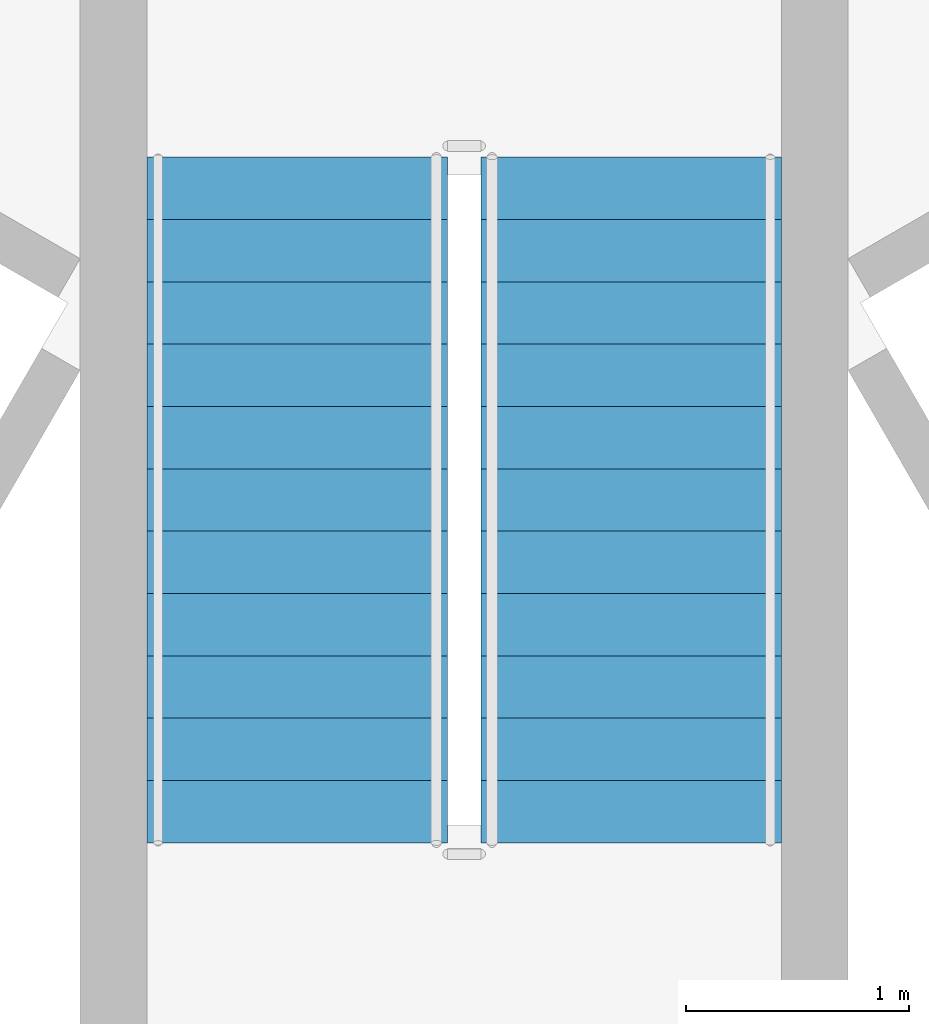
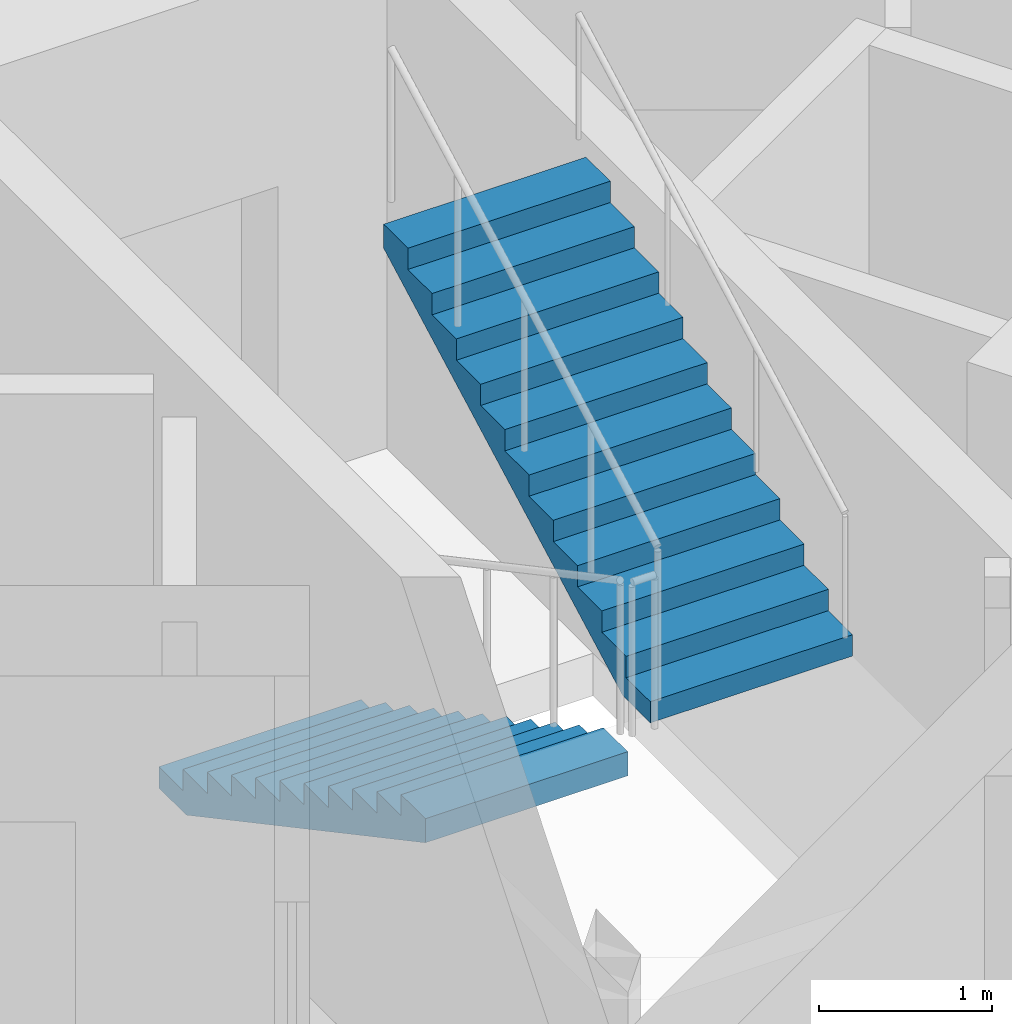
# One storey, part 11 of 18: 2 stair flights, 1 element without a shape of its own.
"""IFC4 building model written with IfcOpenShell, lengths in metres."""

from ifc_helpers import new_model, si_unit, direction, frame, origin, place, context, subcontext, project, spatial, polyline, outline, extrude, material, type_object, element, aggregate, save


model = new_model("IFC4")

# Units and contexts
model_context = context("Model", 3, precision=1e-05, world=origin(), true_north=direction((0.0, 1.0)))
body_context = subcontext(model_context, "Body", "Model", "MODEL_VIEW")
ifc_project = project(units=[si_unit("LENGTHUNIT", "METRE"), si_unit("AREAUNIT", "SQUARE_METRE"), si_unit("VOLUMEUNIT", "CUBIC_METRE"), si_unit("PLANEANGLEUNIT", "RADIAN"), si_unit("MASSUNIT", "GRAM", prefix="KILO")], contexts=[model_context])

# Site, building, storey
site_placement = place(None, origin())
site = spatial("IfcSite", under=ifc_project, at=site_placement, CompositionType="ELEMENT")
building_placement = place(site_placement, origin())
building = spatial("IfcBuilding", under=site, at=building_placement, Name="Trine Commons Tower", CompositionType="ELEMENT")
storey_placement = place(building_placement, frame((0.0, 0.0, 171.89990234375)))
storey = spatial("IfcBuildingStorey", under=building, at=storey_placement, Name="L44", CompositionType="ELEMENT", Elevation=171.89990234375)

# Stair, stair flights
ifc_material = material(Name="Concrete C50/60", Category="concrete")
stair_type = type_object("IfcStairType", Name="Exit stair, dog-leg, 24 risers of 150 mm", PredefinedType="HALF_TURN_STAIR", material=ifc_material)
stair_placement = place(storey_placement, origin())
stair = element("IfcStair", 1, at=stair_placement, inside=storey, type_object=stair_type, Name="L44 Exit stair ST1B", PredefinedType="HALF_TURN_STAIR")
stair_flight_type = type_object("IfcStairFlightType", Name="Stair flight, 1350 wide, 12 risers of 150 mm", PredefinedType="STRAIGHT", material=ifc_material)
stair_flight_1_placement = place(storey_placement, frame((79.25, 68.570556640625, 0.0), z_axis=(0.0, 0.0, 1.0), x_axis=(0.0, -1.0, 0.0)))
stair_flight_1 = element("IfcStairFlight", 2, at=stair_flight_1_placement, type_object=stair_flight_type, Name="ST1B flight 1", NumberOfRisers=12, NumberOfTreads=11, PredefinedType="STRAIGHT", RiserHeight=0.15, TreadLength=0.28, context=body_context, shape_type="SweptSolid", body=[
    extrude(outline(polyline([(0.0, 0.0), (0.0, 0.14990234375), (0.280029296875, 0.14990234375), (0.280029296875, 0.300048828125), (0.56005859375, 0.300048828125), (0.56005859375, 0.449951171875), (0.840087890625, 0.449951171875), (0.840087890625, 0.60009765625), (1.1201171875, 0.60009765625), (1.1201171875, 0.75), (1.39990234375, 0.75), (1.39990234375, 0.89990234375), (1.679931640625, 0.89990234375), (1.679931640625, 1.050048828125), (1.9599609375, 1.050048828125), (1.9599609375, 1.199951171875), (2.239990234375, 1.199951171875), (2.239990234375, 1.35009765625), (2.52001953125, 1.35009765625), (2.52001953125, 1.5), (2.800048828125, 1.5), (2.800048828125, 1.64990234375), (3.080078125, 1.64990234375), (3.080078125, 1.800048828125), (3.080078125, 1.47998046875), (0.3173828125, 0.0), (0.0, 0.0)])), frame((0.0, 0.675048828125, 0.0), z_axis=(0.0, -1.0, 0.0), x_axis=(1.0, 0.0, 0.0)), (0.0, 0.0, 1.0), 1.35009765625),
])
stair_flight_2_placement = place(storey_placement, frame((80.75, 65.490478515625, 1.800048828125), z_axis=(0.0, 0.0, 1.0), x_axis=(0.0, 1.0, 0.0)))
stair_flight_2 = element("IfcStairFlight", 3, at=stair_flight_2_placement, type_object=stair_flight_type, Name="ST1B flight 2", NumberOfRisers=12, NumberOfTreads=11, PredefinedType="STRAIGHT", RiserHeight=0.15, TreadLength=0.28, context=body_context, shape_type="SweptSolid", body=[
    extrude(outline(polyline([(0.0, 0.0), (0.0, 0.14990234375), (0.280029296875, 0.14990234375), (0.280029296875, 0.300048828125), (0.56005859375, 0.300048828125), (0.56005859375, 0.449951171875), (0.840087890625, 0.449951171875), (0.840087890625, 0.60009765625), (1.1201171875, 0.60009765625), (1.1201171875, 0.75), (1.39990234375, 0.75), (1.39990234375, 0.89990234375), (1.679931640625, 0.89990234375), (1.679931640625, 1.050048828125), (1.9599609375, 1.050048828125), (1.9599609375, 1.199951171875), (2.239990234375, 1.199951171875), (2.239990234375, 1.35009765625), (2.52001953125, 1.35009765625), (2.52001953125, 1.5), (2.800048828125, 1.5), (2.800048828125, 1.64990234375), (3.080078125, 1.64990234375), (3.080078125, 1.800048828125), (3.080078125, 1.47998046875), (0.3173828125, 0.0), (0.0, 0.0)])), frame((0.0, 0.675048828125, 0.0), z_axis=(0.0, -1.0, 0.0), x_axis=(1.0, 0.0, 0.0)), (0.0, 0.0, 1.0), 1.35009765625),
])
aggregate(stair, [stair_flight_1, stair_flight_2])

save(model, "model.ifc")
